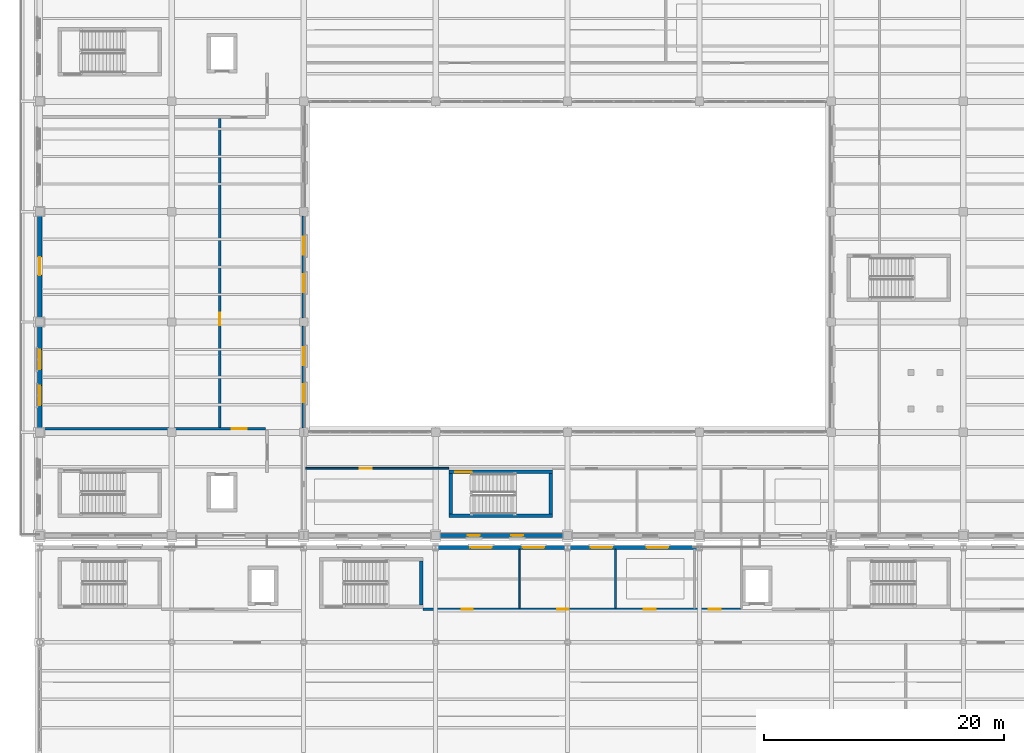
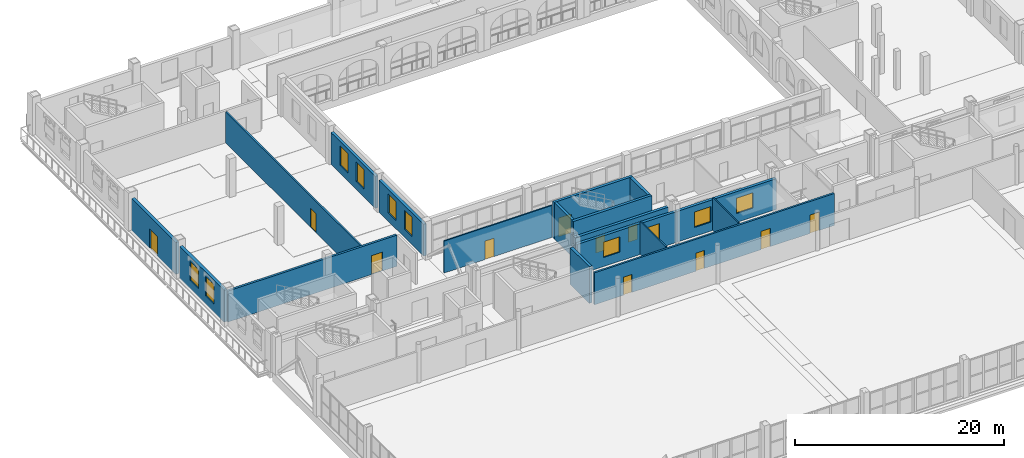
# One storey, part 122 of 156: 18 walls, 12 windows, 9 doors, 21 openings.
"""IFC4 building model written with IfcOpenShell, lengths in metres."""

import ifcopenshell
import ifcopenshell.guid

model = None  # the IFC model being written
_history = None  # IfcOwnerHistory: only IFC2X3 demands one
_inside = {}  # id of a spatial element -> (the spatial element, [elements in it])
_under = {}  # id of a project, library or spatial element -> (it, [spatial elements below it])
_declared = {}  # id of a project -> (the project, [libraries it declares])
_typed = {}  # id of a type object -> (the type object, [elements of that type])
_made_of = {}  # id of a material, layer set ... -> (it, [elements and type objects made of it])


def new_model(schema):
    """Start an empty IFC model of exactly this schema.

    Asked for "IFC4X3", IfcOpenShell would pick the latest addendum, in which some entities
    have other attributes; the version numbers below select the first issue.
    IFC2X3 requires an IfcOwnerHistory on every rooted entity: one is made here for all.
    """
    global model, _history
    if schema == "IFC4X3":
        model = ifcopenshell.file(schema_version=(4, 3, 0, 0))
    else:
        model = ifcopenshell.file(schema=schema)
    _inside.clear()
    _under.clear()
    _declared.clear()
    _typed.clear()
    _made_of.clear()
    _history = None
    if model.schema == "IFC2X3":
        org = make("IfcOrganization", Name="unknown")
        user = make(
            "IfcPersonAndOrganization",
            ThePerson=make("IfcPerson", FamilyName="unknown"),
            TheOrganization=org,
        )
        app = make(
            "IfcApplication",
            ApplicationDeveloper=org,
            Version="unknown",
            ApplicationFullName="unknown",
            ApplicationIdentifier="unknown",
        )
        _history = make(
            "IfcOwnerHistory",
            OwningUser=user,
            OwningApplication=app,
            ChangeAction="ADDED",
            CreationDate=0,
        )
    return model


def make(cls, **values):
    """One entity of the class cls with the attributes given. An attribute that is None is left unset."""
    return model.create_entity(
        cls, **{name: value for name, value in values.items() if value is not None}
    )


def rooted(cls, **values):
    """An entity with a GlobalId (a new one), such as an element, a storey or a relation."""
    return make(cls, GlobalId=ifcopenshell.guid.new(), OwnerHistory=_history, **values)


def si_unit(unit_type, name, prefix=None):
    """IfcSIUnit, for example si_unit("LENGTHUNIT", "METRE", prefix="MILLI")."""
    return make("IfcSIUnit", UnitType=unit_type, Prefix=prefix, Name=name)


def assignment(units):
    """IfcUnitAssignment: the units of a project."""
    return None if units is None else make("IfcUnitAssignment", Units=units)


def point(xyz):
    """IfcCartesianPoint."""
    return None if xyz is None else make("IfcCartesianPoint", Coordinates=xyz)


def direction(xyz):
    """IfcDirection."""
    return None if xyz is None else make("IfcDirection", DirectionRatios=xyz)


def frame(location, z_axis=None, x_axis=None):
    """IfcAxis2Placement3D, a coordinate frame: its origin and axes. An axis left out is left unset."""
    return make(
        "IfcAxis2Placement3D",
        Location=point(location),
        Axis=direction(z_axis),
        RefDirection=direction(x_axis),
    )


def frame_2d(location, x_axis=None):
    """IfcAxis2Placement2D, a coordinate frame in the plane: its origin and x axis."""
    return make(
        "IfcAxis2Placement2D", Location=point(location), RefDirection=direction(x_axis)
    )


def origin():
    """The frame at (0, 0, 0) with its axes left unset."""
    return frame((0.0, 0.0, 0.0))


def place(relative_to, where):
    """IfcLocalPlacement: puts the frame where relative to a parent placement (None: the world)."""
    return make(
        "IfcLocalPlacement", PlacementRelTo=relative_to, RelativePlacement=where
    )


def context(
    kind, dimensions, precision=None, world=None, true_north=None, identifier=None
):
    """IfcGeometricRepresentationContext, for example the 3D "Model" context."""
    return make(
        "IfcGeometricRepresentationContext",
        ContextIdentifier=identifier,
        ContextType=kind,
        CoordinateSpaceDimension=dimensions,
        Precision=precision,
        WorldCoordinateSystem=world,
        TrueNorth=true_north,
    )


def subcontext(parent, identifier, kind, view, scale=None):
    """IfcGeometricRepresentationSubContext, for example "Body" below "Model"."""
    return make(
        "IfcGeometricRepresentationSubContext",
        ContextIdentifier=identifier,
        ContextType=kind,
        ParentContext=parent,
        TargetScale=scale,
        TargetView=view,
    )


def project(units=None, contexts=None):
    """IfcProject with its units and contexts."""
    return rooted(
        "IfcProject",
        Name="project",
        RepresentationContexts=contexts,
        UnitsInContext=assignment(units),
    )


def spatial(cls, under=None, at=None, **own):
    """A site, building, storey or space (cls), placed at a placement, below another one or the project."""
    s = rooted(cls, ObjectPlacement=at, **own)
    if under is not None:
        _under.setdefault(under.id(), (under, []))[1].append(s)
    return s


def profile(cls, at=None, kind="AREA", **sizes):
    """A parametric profile (cls). Its sizes go by their IFC names, for example OverallWidth=200.0."""
    return make(cls, ProfileType=kind, Position=at, **sizes)


def rectangle(**sizes):
    """IfcRectangleProfileDef."""
    return profile("IfcRectangleProfileDef", **sizes)


def extrude(swept, where, along, depth):
    """IfcExtrudedAreaSolid: the profile swept, set in the frame where, extruded along a direction by depth."""
    return make(
        "IfcExtrudedAreaSolid",
        SweptArea=swept,
        Position=where,
        ExtrudedDirection=direction(along),
        Depth=depth,
    )


def shape(context_of_items, identifier, shape_type, items):
    """IfcShapeRepresentation: the items that make up one representation, for example the "Body"."""
    return make(
        "IfcShapeRepresentation",
        ContextOfItems=context_of_items,
        RepresentationIdentifier=identifier,
        RepresentationType=shape_type,
        Items=items,
    )


def material(Name=None, Category=None):
    """IfcMaterial."""
    return make("IfcMaterial", Name=Name, Category=Category)


def layer(
    of_material, thickness, ventilated=None, Name=None, Category=None, Priority=None
):
    """IfcMaterialLayer: one layer of a wall or slab, of a material (None: an air gap)."""
    return make(
        "IfcMaterialLayer",
        Material=of_material,
        LayerThickness=thickness,
        IsVentilated=ventilated,
        Name=Name,
        Category=Category,
        Priority=Priority,
    )


def layer_set(layers, Name=None):
    """IfcMaterialLayerSet."""
    return make("IfcMaterialLayerSet", MaterialLayers=layers, LayerSetName=Name)


def made_of(thing, what):
    """Note that an element or type object is made of a material, layer set ...; save() writes the relation."""
    if what is not None:
        _made_of.setdefault(what.id(), (what, []))[1].append(thing)
    return thing


def type_object(cls, material=None, **own):
    """A type object (cls), such as IfcWallType, which elements share."""
    return made_of(rooted(cls, **own), material)


def element(
    cls,
    number,
    at=None,
    inside=None,
    cuts=None,
    type_object=None,
    material=None,
    context=None,
    identifier="Body",
    shape_type=None,
    held_by="IfcProductDefinitionShape",
    body=None,
    shapes=None,
    **own,
):
    """One element of the class cls, such as IfcWall. Its Tag is "e" and its number.

    at: its placement. inside: the storey or other place that contains it. cuts: it is an
    opening in that element (IfcRelVoidsElement). A single representation is given by context,
    identifier, shape_type and body (its items); several are given by shapes. held_by: the class
    of the entity that holds the representations. save() writes the other relations.
    """
    e = rooted(cls, Tag="e%d" % number, ObjectPlacement=at, **own)
    if body is not None:
        shapes = [shape(context, identifier, shape_type, body)]
    if shapes is not None:
        e.Representation = make(held_by, Representations=shapes)
    if inside is not None:
        _inside.setdefault(inside.id(), (inside, []))[1].append(e)
    if cuts is not None:
        rooted(
            "IfcRelVoidsElement", RelatingBuildingElement=cuts, RelatedOpeningElement=e
        )
    if type_object is not None:
        _typed.setdefault(type_object.id(), (type_object, []))[1].append(e)
    return made_of(e, material)


def fill(opening, filler):
    """IfcRelFillsElement: the door or window that sits in an opening."""
    return rooted(
        "IfcRelFillsElement",
        RelatingOpeningElement=opening,
        RelatedBuildingElement=filler,
    )


def aggregate(whole, parts):
    """IfcRelAggregates: a whole, such as a stair, and the parts it consists of."""
    return rooted("IfcRelAggregates", RelatingObject=whole, RelatedObjects=parts)


def save(model, path):
    """Write the relations noted so far, then the file.

    IfcRelAggregates (storeys below a building ...), IfcRelContainedInSpatialStructure (elements
    in a storey), IfcRelDefinesByType, IfcRelAssociatesMaterial and IfcRelDeclares: one each for
    every whole, place, type object, material and project.
    """
    for whole, parts in _under.values():
        aggregate(whole, parts)
    for where, things in _inside.values():
        rooted(
            "IfcRelContainedInSpatialStructure",
            RelatedElements=things,
            RelatingStructure=where,
        )
    for kind, things in _typed.values():
        rooted("IfcRelDefinesByType", RelatedObjects=things, RelatingType=kind)
    for what, things in _made_of.values():
        rooted("IfcRelAssociatesMaterial", RelatedObjects=things, RelatingMaterial=what)
    for by, libraries in _declared.values():
        rooted("IfcRelDeclares", RelatingContext=by, RelatedDefinitions=libraries)
    model.write(path)


model = new_model("IFC4")

# Units and contexts
model_context = context("Model", 3, precision=1e-05, world=origin(), true_north=direction((0.0, 1.0)))
body_context = subcontext(model_context, "Body", "Model", "MODEL_VIEW")
ifc_project = project(units=[si_unit("LENGTHUNIT", "METRE"), si_unit("AREAUNIT", "SQUARE_METRE"), si_unit("VOLUMEUNIT", "CUBIC_METRE"), si_unit("PLANEANGLEUNIT", "RADIAN"), si_unit("MASSUNIT", "GRAM", prefix="KILO")], contexts=[model_context])

# Site, building, storey
site_placement = place(None, origin())
site = spatial("IfcSite", under=ifc_project, at=site_placement, CompositionType="ELEMENT")
building_placement = place(site_placement, origin())
building = spatial("IfcBuilding", under=site, at=building_placement, Name="Caurita Quay Ferry Terminal", CompositionType="ELEMENT")
storey_placement = place(building_placement, frame((0.0, 0.0, 5.39990234375)))
storey = spatial("IfcBuildingStorey", under=building, at=storey_placement, Name="L01", CompositionType="ELEMENT", Elevation=5.39990234375)

# Wall, opening, door
ifc_material_1 = material(Name="Warm-white lime stucco masonry", Category="masonry")
ifc_layer_1 = layer(ifc_material_1, 0.239990234375, Name="Interior partitioning wall 240 mm")
ifc_layer_set_1 = layer_set([ifc_layer_1], Name="Warm-white lime stucco masonry")
wall_type_1 = type_object("IfcWallType", Name="WL-COMP-240", PredefinedType="PARTITIONING", material=ifc_layer_set_1)
wall_1_placement = place(storey_placement, frame((0.175048828125, 80.5, 0.0), z_axis=(0.0, 0.0, 1.0), x_axis=(1.0, 0.0, 0.0)))
wall_1 = element("IfcWall", 1, at=wall_1_placement, inside=storey, type_object=wall_type_1, Name="L01 Interior Partition IW-L01-061", PredefinedType="PARTITIONING", context=body_context, shape_type="SweptSolid", body=[
    extrude(rectangle(XDim=18.64990234375, YDim=0.239990234375, at=frame_2d((9.324951171875, 0.0))), origin(), (0.0, 0.0, 1.0), 3.625),
])
opening_1_placement = place(wall_1_placement, frame((15.824951171875, 0.0, 0.0)))
opening_1 = element("IfcOpeningElement", 2, at=opening_1_placement, cuts=wall_1, Name="Opening FD-01", PredefinedType="OPENING", context=body_context, shape_type="SweptSolid", body=[
    extrude(rectangle(XDim=1.25, YDim=2.199951171875, at=frame_2d((0.625, 1.10009765625))), frame((0.0, 0.1298828125, 0.0), z_axis=(0.0, -1.0, 0.0), x_axis=(1.0, 0.0, 0.0)), (0.0, 0.0, 1.0), 0.260009765625),
])
ifc_material_2 = material(Name="Anodized aluminium 6063-T6", Category="aluminium")
door_type_1 = type_object("IfcDoorType", Name="DR-FF-1100", OperationType="NOTDEFINED", PredefinedType="DOOR", material=ifc_material_2)
door_1_placement = place(opening_1_placement, frame((1.25, 0.0, 0.0), z_axis=(0.0, 0.0, 1.0), x_axis=(-1.0, 0.0, 0.0)))
door_1 = element("IfcDoor", 3, at=door_1_placement, inside=storey, type_object=door_type_1, Name="Firefighting Lobby L01 South Door", OperationType="SINGLE_SWING_RIGHT", OverallHeight=2.199951171875, OverallWidth=1.25, PredefinedType="DOOR", context=body_context, shape_type="SweptSolid", body=[
    extrude(rectangle(XDim=1.25, YDim=2.199951171875, at=frame_2d((0.625, 1.10009765625))), frame((0.0, 0.02490234375, 0.0), z_axis=(0.0, -1.0, 0.0), x_axis=(1.0, 0.0, 0.0)), (0.0, 0.0, 1.0), 0.050048828125),
])
fill(opening_1, door_1)

# Wall
ifc_material_3 = material(Name="Reinforced concrete C35/45", Category="concrete")
ifc_layer_2 = layer(ifc_material_3, 0.300048828125, Name="Interior shear wall 300 mm")
ifc_layer_set_2 = layer_set([ifc_layer_2], Name="Reinforced concrete C35/45")
wall_type_2 = type_object("IfcWallType", Name="WL-CORE-300", PredefinedType="SHEAR", material=ifc_layer_set_2)
wall_2_placement = place(storey_placement, frame((34.10009765625, 73.25, 0.0), z_axis=(0.0, 0.0, 1.0), x_axis=(1.0, 0.0, 0.0)))
element("IfcWall", 4, at=wall_2_placement, inside=storey, type_object=wall_type_2, Name="L01 ST-03 Core Wall South", PredefinedType="SHEAR", context=body_context, shape_type="SweptSolid", body=[
    extrude(rectangle(XDim=8.64990234375, YDim=0.300048828125, at=frame_2d((4.324951171875, 0.0))), origin(), (0.0, 0.0, 1.0), 4.280029296875),
])

# Wall, opening, door
wall_3_placement = place(storey_placement, frame((42.75, 76.909912109375, 0.0), z_axis=(0.0, 0.0, 1.0), x_axis=(-1.0, 0.0, 0.0)))
wall_3 = element("IfcWall", 5, at=wall_3_placement, inside=storey, type_object=wall_type_2, Name="L01 ST-03 Core Wall North", PredefinedType="SHEAR", context=body_context, shape_type="SweptSolid", body=[
    extrude(rectangle(XDim=8.64990234375, YDim=0.300048828125, at=frame_2d((4.324951171875, 0.0))), origin(), (0.0, 0.0, 1.0), 4.280029296875),
])
opening_2_placement = place(wall_3_placement, frame((6.75, 0.0, 0.0)))
opening_2 = element("IfcOpeningElement", 6, at=opening_2_placement, cuts=wall_3, Name="Opening SD-01", PredefinedType="OPENING", context=body_context, shape_type="SweptSolid", body=[
    extrude(rectangle(XDim=1.35009765625, YDim=2.199951171875, at=frame_2d((0.675048828125, 1.10009765625))), frame((0.0, 0.159912109375, 0.0), z_axis=(0.0, -1.0, 0.0), x_axis=(1.0, 0.0, 0.0)), (0.0, 0.0, 1.0), 0.320068359375),
])
door_type_2 = type_object("IfcDoorType", Name="DR-ST-1200", OperationType="NOTDEFINED", PredefinedType="DOOR", material=ifc_material_2)
door_2_placement = place(opening_2_placement, origin())
door_2 = element("IfcDoor", 7, at=door_2_placement, inside=storey, type_object=door_type_2, Name="L01 Exit Stair ST-03 Fire Door", OperationType="SINGLE_SWING_RIGHT", OverallHeight=2.199951171875, OverallWidth=1.35009765625, PredefinedType="DOOR", context=body_context, shape_type="SweptSolid", body=[
    extrude(rectangle(XDim=1.35009765625, YDim=2.199951171875, at=frame_2d((0.675048828125, 1.10009765625))), frame((0.0, 0.02490234375, 0.0), z_axis=(0.0, -1.0, 0.0), x_axis=(1.0, 0.0, 0.0)), (0.0, 0.0, 1.0), 0.050048828125),
])
fill(opening_2, door_2)

# Walls
for number, where, z_axis, x_axis, name in (
    (8, (34.25, 76.760009765625, 0.0), (0.0, 0.0, 1.0), (0.0, -1.0, 0.0), "L01 ST-03 Core Wall West"),
    (9, (42.60009765625, 73.39990234375, 0.0), (0.0, 0.0, 1.0), (0.0, 1.0, 0.0), "L01 ST-03 Core Wall East"),
):
    element("IfcWall", number, at=place(storey_placement, frame(where, z_axis=z_axis, x_axis=x_axis)), inside=storey, type_object=wall_type_2, Name=name, PredefinedType="SHEAR", context=body_context, shape_type="SweptSolid", body=[
        extrude(rectangle(XDim=3.360107421875, YDim=0.300048828125, at=frame_2d((1.68017578125, 0.0))), origin(), (0.0, 0.0, 1.0), 4.280029296875),
    ])
wall_4_placement = place(storey_placement, frame((31.800048828125, 65.800048828125, 0.0), z_axis=(0.0, 0.0, 1.0), x_axis=(0.0, 1.0, 0.0)))
element("IfcWall", 10, at=wall_4_placement, inside=storey, type_object=wall_type_2, Name="L01 ST-06 Core Wall East", PredefinedType="SHEAR", context=body_context, shape_type="SweptSolid", body=[
    extrude(rectangle(XDim=3.659912109375, YDim=0.300048828125, at=frame_2d((1.830078125, 0.0))), origin(), (0.0, 0.0, 1.0), 4.280029296875),
])

# Wall, openings, doors
ifc_layer_3 = layer(ifc_material_1, 0.199951171875, Name="Interior partitioning wall 200 mm")
ifc_layer_set_3 = layer_set([ifc_layer_3], Name="Warm-white lime stucco masonry")
wall_type_3 = type_object("IfcWallType", Name="WL-CORR-200", PredefinedType="PARTITIONING", material=ifc_layer_set_3)
wall_5_placement = place(storey_placement, frame((31.9599609375, 65.449951171875, 0.0), z_axis=(0.0, 0.0, 1.0), x_axis=(1.0, 0.0, 0.0)))
wall_5 = element("IfcWall", 11, at=wall_5_placement, inside=storey, type_object=wall_type_3, Name="L01 Interior Partition IW-L01-041", PredefinedType="PARTITIONING", context=body_context, shape_type="SweptSolid", body=[
    extrude(rectangle(XDim=26.469970703125, YDim=0.199951171875, at=frame_2d((13.23486328125, 0.0))), origin(), (0.0, 0.0, 1.0), 3.739013671875),
])
opening_3_placement = place(wall_5_placement, frame((3.199951171875, 0.0, 0.0)))
opening_3 = element("IfcOpeningElement", 12, at=opening_3_placement, cuts=wall_5, Name="Opening ID-07", PredefinedType="OPENING", context=body_context, shape_type="SweptSolid", body=[
    extrude(rectangle(XDim=0.919921875, YDim=2.10009765625, at=frame_2d((0.4599609375, 1.050048828125))), frame((0.0, 0.10986328125, 0.0), z_axis=(0.0, -1.0, 0.0), x_axis=(1.0, 0.0, 0.0)), (0.0, 0.0, 1.0), 0.219970703125),
])
opening_4_placement = place(wall_5_placement, frame((11.199951171875, 0.0, 0.0)))
opening_4 = element("IfcOpeningElement", 13, at=opening_4_placement, cuts=wall_5, Name="Opening ID-07", PredefinedType="OPENING", context=body_context, shape_type="SweptSolid", body=[
    extrude(rectangle(XDim=0.919921875, YDim=2.10009765625, at=frame_2d((0.4599609375, 1.050048828125))), frame((0.0, 0.10986328125, 0.0), z_axis=(0.0, -1.0, 0.0), x_axis=(1.0, 0.0, 0.0)), (0.0, 0.0, 1.0), 0.219970703125),
])
opening_5_placement = place(wall_5_placement, frame((18.39990234375, 0.0, 0.0)))
opening_5 = element("IfcOpeningElement", 14, at=opening_5_placement, cuts=wall_5, Name="Opening ID-05", PredefinedType="OPENING", context=body_context, shape_type="SweptSolid", body=[
    extrude(rectangle(XDim=1.0, YDim=2.14990234375, at=frame_2d((0.5, 1.074951171875))), frame((0.0, 0.10986328125, 0.0), z_axis=(0.0, -1.0, 0.0), x_axis=(1.0, 0.0, 0.0)), (0.0, 0.0, 1.0), 0.219970703125),
])
opening_6_placement = place(wall_5_placement, frame((23.800048828125, 0.0, 0.0)))
opening_6 = element("IfcOpeningElement", 15, at=opening_6_placement, cuts=wall_5, Name="Opening ID-08", PredefinedType="OPENING", context=body_context, shape_type="SweptSolid", body=[
    extrude(rectangle(XDim=1.02001953125, YDim=2.14990234375, at=frame_2d((0.510009765625, 1.074951171875))), frame((0.0, 0.10986328125, 0.0), z_axis=(0.0, -1.0, 0.0), x_axis=(1.0, 0.0, 0.0)), (0.0, 0.0, 1.0), 0.219970703125),
])
ifc_material_4 = material(Name="Tropical mahogany hardwood", Category="wood")
door_type_3 = type_object("IfcDoorType", Name="DR-AWC-1020", OperationType="NOTDEFINED", PredefinedType="DOOR", material=ifc_material_4)
door_3_placement = place(opening_6_placement, origin())
door_3 = element("IfcDoor", 16, at=door_3_placement, inside=storey, type_object=door_type_3, Name="Concourse Accessible WC L01 Door", OperationType="SINGLE_SWING_LEFT", OverallHeight=2.14990234375, OverallWidth=1.02001953125, PredefinedType="DOOR", context=body_context, shape_type="SweptSolid", body=[
    extrude(rectangle(XDim=1.02001953125, YDim=2.14990234375, at=frame_2d((0.510009765625, 1.074951171875))), frame((0.0, 0.02490234375, 0.0), z_axis=(0.0, -1.0, 0.0), x_axis=(1.0, 0.0, 0.0)), (0.0, 0.0, 1.0), 0.050048828125),
])
fill(opening_6, door_3)
door_type_4 = type_object("IfcDoorType", Name="DR-OFF-1000", OperationType="NOTDEFINED", PredefinedType="DOOR", material=ifc_material_4)
door_4_placement = place(opening_5_placement, frame((1.0, 0.0, 0.0), z_axis=(0.0, 0.0, 1.0), x_axis=(-1.0, 0.0, 0.0)))
door_4 = element("IfcDoor", 17, at=door_4_placement, inside=storey, type_object=door_type_4, Name="Concourse Parenting Room L01 Door", OperationType="SINGLE_SWING_RIGHT", OverallHeight=2.14990234375, OverallWidth=1.0, PredefinedType="DOOR", context=body_context, shape_type="SweptSolid", body=[
    extrude(rectangle(XDim=1.0, YDim=2.14990234375, at=frame_2d((0.5, 1.074951171875))), frame((0.0, 0.02490234375, 0.0), z_axis=(0.0, -1.0, 0.0), x_axis=(1.0, 0.0, 0.0)), (0.0, 0.0, 1.0), 0.050048828125),
])
fill(opening_5, door_4)
door_type_5 = type_object("IfcDoorType", Name="DR-WC-0920", OperationType="NOTDEFINED", PredefinedType="DOOR", material=ifc_material_4)
door_5_placement = place(opening_3_placement, frame((0.919921875, 0.0, 0.0), z_axis=(0.0, 0.0, 1.0), x_axis=(-1.0, 0.0, 0.0)))
door_5 = element("IfcDoor", 18, at=door_5_placement, inside=storey, type_object=door_type_5, Name="Concourse Male WC L01 Door", OperationType="SINGLE_SWING_RIGHT", OverallHeight=2.10009765625, OverallWidth=0.919921875, PredefinedType="DOOR", context=body_context, shape_type="SweptSolid", body=[
    extrude(rectangle(XDim=0.919921875, YDim=2.10009765625, at=frame_2d((0.4599609375, 1.050048828125))), frame((0.0, 0.02490234375, 0.0), z_axis=(0.0, -1.0, 0.0), x_axis=(1.0, 0.0, 0.0)), (0.0, 0.0, 1.0), 0.050048828125),
])
fill(opening_3, door_5)
door_6_placement = place(opening_4_placement, origin())
door_6 = element("IfcDoor", 19, at=door_6_placement, inside=storey, type_object=door_type_5, Name="Concourse Female WC L01 Door", OperationType="SINGLE_SWING_LEFT", OverallHeight=2.10009765625, OverallWidth=0.919921875, PredefinedType="DOOR", context=body_context, shape_type="SweptSolid", body=[
    extrude(rectangle(XDim=0.919921875, YDim=2.10009765625, at=frame_2d((0.4599609375, 1.050048828125))), frame((0.0, 0.02490234375, 0.0), z_axis=(0.0, -1.0, 0.0), x_axis=(1.0, 0.0, 0.0)), (0.0, 0.0, 1.0), 0.050048828125),
])
fill(opening_4, door_6)

# Wall, openings, windows
ifc_layer_4 = layer(ifc_material_1, 0.31005859375, Name="Exterior solidwall wall 310 mm")
ifc_layer_set_4 = layer_set([ifc_layer_4], Name="Warm-white lime stucco masonry")
wall_type_4 = type_object("IfcWallType", Name="WL-EXT-310", PredefinedType="SOLIDWALL", material=ifc_layer_set_4)
wall_6_placement = place(storey_placement, frame((33.347900390625, 71.60009765625, 0.0), z_axis=(0.0, 0.0, 1.0), x_axis=(1.0, 0.0, 0.0)))
wall_6 = element("IfcWall", 20, at=wall_6_placement, inside=storey, type_object=wall_type_4, Name="L01 Exterior Wall EW-L01-064", PredefinedType="SOLIDWALL", context=body_context, shape_type="SweptSolid", body=[
    extrude(rectangle(XDim=10.30419921875, YDim=0.31005859375, at=frame_2d((5.152099609375, 0.0))), origin(), (0.0, 0.0, 1.0), 3.625),
])
opening_7_placement = place(wall_6_placement, frame((2.35205078125, 0.0, 0.949951171875)))
opening_7 = element("IfcOpeningElement", 21, at=opening_7_placement, cuts=wall_6, Name="Opening W-02", PredefinedType="OPENING", context=body_context, shape_type="SweptSolid", body=[
    extrude(rectangle(XDim=1.0, YDim=1.800048828125, at=frame_2d((0.5, 0.89990234375))), frame((0.0, 0.1650390625, 0.0), z_axis=(0.0, -1.0, 0.0), x_axis=(1.0, 0.0, 0.0)), (0.0, 0.0, 1.0), 0.330078125),
])
opening_8_placement = place(wall_6_placement, frame((5.951904296875, 0.0, 0.949951171875)))
opening_8 = element("IfcOpeningElement", 22, at=opening_8_placement, cuts=wall_6, Name="Opening W-02", PredefinedType="OPENING", context=body_context, shape_type="SweptSolid", body=[
    extrude(rectangle(XDim=1.0, YDim=1.800048828125, at=frame_2d((0.5, 0.89990234375))), frame((0.0, 0.1650390625, 0.0), z_axis=(0.0, -1.0, 0.0), x_axis=(1.0, 0.0, 0.0)), (0.0, 0.0, 1.0), 0.330078125),
])
ifc_material_5 = material(Name="Laminated solar-control insulated glass", Category="glass")
window_type_1 = type_object("IfcWindowType", Name="WIN-SC-1018", PartitioningType="SINGLE_PANEL", PredefinedType="WINDOW", material=ifc_material_5)
window_1_placement = place(opening_7_placement, origin())
window_1 = element("IfcWindow", 23, at=window_1_placement, inside=storey, type_object=window_type_1, Name="L01 Casement Window WN-L01-095", OverallHeight=1.800048828125, OverallWidth=1.0, PartitioningType="SINGLE_PANEL", PredefinedType="WINDOW", context=body_context, shape_type="SweptSolid", body=[
    extrude(rectangle(XDim=1.0, YDim=1.800048828125, at=frame_2d((0.5, 0.89990234375))), frame((0.0, 0.030029296875, 0.0), z_axis=(0.0, -1.0, 0.0), x_axis=(1.0, 0.0, 0.0)), (0.0, 0.0, 1.0), 0.06005859375),
])
fill(opening_7, window_1)
window_2_placement = place(opening_8_placement, origin())
window_2 = element("IfcWindow", 24, at=window_2_placement, inside=storey, type_object=window_type_1, Name="L01 Casement Window WN-L01-096", OverallHeight=1.800048828125, OverallWidth=1.0, PartitioningType="SINGLE_PANEL", PredefinedType="WINDOW", context=body_context, shape_type="SweptSolid", body=[
    extrude(rectangle(XDim=1.0, YDim=1.800048828125, at=frame_2d((0.5, 0.89990234375))), frame((0.0, 0.030029296875, 0.0), z_axis=(0.0, -1.0, 0.0), x_axis=(1.0, 0.0, 0.0)), (0.0, 0.0, 1.0), 0.06005859375),
])
fill(opening_8, window_2)

wall_7_placement = place(storey_placement, frame((22.0, 80.548095703125, 0.0), z_axis=(0.0, 0.0, 1.0), x_axis=(0.0, 1.0, 0.0)))
wall_7 = element("IfcWall", 25, at=wall_7_placement, inside=storey, type_object=wall_type_4, Name="L01 Exterior Wall EW-L01-128", PredefinedType="SOLIDWALL", context=body_context, shape_type="SweptSolid", body=[
    extrude(rectangle(XDim=8.50390625, YDim=0.31005859375, at=frame_2d((4.251953125, 0.0))), origin(), (0.0, 0.0, 1.0), 3.72509765625),
])
opening_9_placement = place(wall_7_placement, frame((2.152099609375, 0.0, 0.949951171875)))
opening_9 = element("IfcOpeningElement", 26, at=opening_9_placement, cuts=wall_7, Name="Opening W-07", PredefinedType="OPENING", context=body_context, shape_type="SweptSolid", body=[
    extrude(rectangle(XDim=1.5, YDim=2.25, at=frame_2d((0.75, 1.125))), frame((0.0, 0.1650390625, 0.0), z_axis=(0.0, -1.0, 0.0), x_axis=(1.0, 0.0, 0.0)), (0.0, 0.0, 1.0), 0.330078125),
])
opening_10_placement = place(wall_7_placement, frame((5.251953125, 0.0, 0.949951171875)))
opening_10 = element("IfcOpeningElement", 27, at=opening_10_placement, cuts=wall_7, Name="Opening W-07", PredefinedType="OPENING", context=body_context, shape_type="SweptSolid", body=[
    extrude(rectangle(XDim=1.5, YDim=2.25, at=frame_2d((0.75, 1.125))), frame((0.0, 0.1650390625, 0.0), z_axis=(0.0, -1.0, 0.0), x_axis=(1.0, 0.0, 0.0)), (0.0, 0.0, 1.0), 0.330078125),
])
window_type_2 = type_object("IfcWindowType", Name="WIN-SC-1522", PartitioningType="SINGLE_PANEL", PredefinedType="WINDOW", material=ifc_material_5)
window_3_placement = place(opening_9_placement, origin())
window_3 = element("IfcWindow", 28, at=window_3_placement, inside=storey, type_object=window_type_2, Name="L01 Casement Window WN-L01-195", OverallHeight=2.25, OverallWidth=1.5, PartitioningType="SINGLE_PANEL", PredefinedType="WINDOW", context=body_context, shape_type="SweptSolid", body=[
    extrude(rectangle(XDim=1.5, YDim=2.25, at=frame_2d((0.75, 1.125))), frame((0.0, 0.030029296875, 0.0), z_axis=(0.0, -1.0, 0.0), x_axis=(1.0, 0.0, 0.0)), (0.0, 0.0, 1.0), 0.06005859375),
])
fill(opening_9, window_3)
window_4_placement = place(opening_10_placement, origin())
window_4 = element("IfcWindow", 29, at=window_4_placement, inside=storey, type_object=window_type_2, Name="L01 Casement Window WN-L01-196", OverallHeight=2.25, OverallWidth=1.5, PartitioningType="SINGLE_PANEL", PredefinedType="WINDOW", context=body_context, shape_type="SweptSolid", body=[
    extrude(rectangle(XDim=1.5, YDim=2.25, at=frame_2d((0.75, 1.125))), frame((0.0, 0.030029296875, 0.0), z_axis=(0.0, -1.0, 0.0), x_axis=(1.0, 0.0, 0.0)), (0.0, 0.0, 1.0), 0.06005859375),
])
fill(opening_10, window_4)

wall_8_placement = place(storey_placement, frame((22.0, 89.748046875, 0.0), z_axis=(0.0, 0.0, 1.0), x_axis=(0.0, 1.0, 0.0)))
wall_8 = element("IfcWall", 30, at=wall_8_placement, inside=storey, type_object=wall_type_4, Name="L01 Exterior Wall EW-L01-129", PredefinedType="SOLIDWALL", context=body_context, shape_type="SweptSolid", body=[
    extrude(rectangle(XDim=8.50390625, YDim=0.31005859375, at=frame_2d((4.251953125, 0.0))), origin(), (0.0, 0.0, 1.0), 3.72509765625),
])
opening_11_placement = place(wall_8_placement, frame((2.152099609375, 0.0, 0.949951171875)))
opening_11 = element("IfcOpeningElement", 31, at=opening_11_placement, cuts=wall_8, Name="Opening W-07", PredefinedType="OPENING", context=body_context, shape_type="SweptSolid", body=[
    extrude(rectangle(XDim=1.5, YDim=2.25, at=frame_2d((0.75, 1.125))), frame((0.0, 0.1650390625, 0.0), z_axis=(0.0, -1.0, 0.0), x_axis=(1.0, 0.0, 0.0)), (0.0, 0.0, 1.0), 0.330078125),
])
opening_12_placement = place(wall_8_placement, frame((5.251953125, 0.0, 0.949951171875)))
opening_12 = element("IfcOpeningElement", 32, at=opening_12_placement, cuts=wall_8, Name="Opening W-07", PredefinedType="OPENING", context=body_context, shape_type="SweptSolid", body=[
    extrude(rectangle(XDim=1.5, YDim=2.25, at=frame_2d((0.75, 1.125))), frame((0.0, 0.1650390625, 0.0), z_axis=(0.0, -1.0, 0.0), x_axis=(1.0, 0.0, 0.0)), (0.0, 0.0, 1.0), 0.330078125),
])
window_5_placement = place(opening_11_placement, origin())
window_5 = element("IfcWindow", 33, at=window_5_placement, inside=storey, type_object=window_type_2, Name="L01 Casement Window WN-L01-197", OverallHeight=2.25, OverallWidth=1.5, PartitioningType="SINGLE_PANEL", PredefinedType="WINDOW", context=body_context, shape_type="SweptSolid", body=[
    extrude(rectangle(XDim=1.5, YDim=2.25, at=frame_2d((0.75, 1.125))), frame((0.0, 0.030029296875, 0.0), z_axis=(0.0, -1.0, 0.0), x_axis=(1.0, 0.0, 0.0)), (0.0, 0.0, 1.0), 0.06005859375),
])
fill(opening_11, window_5)
window_6_placement = place(opening_12_placement, origin())
window_6 = element("IfcWindow", 34, at=window_6_placement, inside=storey, type_object=window_type_2, Name="L01 Casement Window WN-L01-198", OverallHeight=2.25, OverallWidth=1.5, PartitioningType="SINGLE_PANEL", PredefinedType="WINDOW", context=body_context, shape_type="SweptSolid", body=[
    extrude(rectangle(XDim=1.5, YDim=2.25, at=frame_2d((0.75, 1.125))), frame((0.0, 0.030029296875, 0.0), z_axis=(0.0, -1.0, 0.0), x_axis=(1.0, 0.0, 0.0)), (0.0, 0.0, 1.0), 0.06005859375),
])
fill(opening_12, window_6)

wall_9_placement = place(storey_placement, frame((43.993408203125, 70.60009765625, 0.0), z_axis=(0.0, 0.0, 1.0), x_axis=(-1.0, 0.0, 0.0)))
wall_9 = element("IfcWall", 35, at=wall_9_placement, inside=storey, type_object=wall_type_4, Name="L01 Exterior Wall EW-L01-182", PredefinedType="SOLIDWALL", context=body_context, shape_type="SweptSolid", body=[
    extrude(rectangle(XDim=10.98681640625, YDim=0.31005859375, at=frame_2d((5.493408203125, 0.0))), origin(), (0.0, 0.0, 1.0), 3.592041015625),
])
opening_13_placement = place(wall_9_placement, frame((1.927978515625, 0.0, 1.050048828125)))
opening_13 = element("IfcOpeningElement", 36, at=opening_13_placement, cuts=wall_9, Name="Opening W-09", PredefinedType="OPENING", context=body_context, shape_type="SweptSolid", body=[
    extrude(rectangle(XDim=1.800048828125, YDim=1.800048828125, at=frame_2d((0.89990234375, 0.89990234375))), frame((0.0, 0.1650390625, 0.0), z_axis=(0.0, -1.0, 0.0), x_axis=(1.0, 0.0, 0.0)), (0.0, 0.0, 1.0), 0.330078125),
])
opening_14_placement = place(wall_9_placement, frame((6.29345703125, 0.0, 1.050048828125)))
opening_14 = element("IfcOpeningElement", 37, at=opening_14_placement, cuts=wall_9, Name="Opening W-09", PredefinedType="OPENING", context=body_context, shape_type="SweptSolid", body=[
    extrude(rectangle(XDim=1.800048828125, YDim=1.800048828125, at=frame_2d((0.89990234375, 0.89990234375))), frame((0.0, 0.1650390625, 0.0), z_axis=(0.0, -1.0, 0.0), x_axis=(1.0, 0.0, 0.0)), (0.0, 0.0, 1.0), 0.330078125),
])
window_type_3 = type_object("IfcWindowType", Name="WIN-SC-1818", PartitioningType="SINGLE_PANEL", PredefinedType="WINDOW", material=ifc_material_5)
window_7_placement = place(opening_13_placement, origin())
window_7 = element("IfcWindow", 38, at=window_7_placement, inside=storey, type_object=window_type_3, Name="L01 Casement Window WN-L01-273", OverallHeight=1.800048828125, OverallWidth=1.800048828125, PartitioningType="SINGLE_PANEL", PredefinedType="WINDOW", context=body_context, shape_type="SweptSolid", body=[
    extrude(rectangle(XDim=1.800048828125, YDim=1.800048828125, at=frame_2d((0.89990234375, 0.89990234375))), frame((0.0, 0.030029296875, 0.0), z_axis=(0.0, -1.0, 0.0), x_axis=(1.0, 0.0, 0.0)), (0.0, 0.0, 1.0), 0.06005859375),
])
fill(opening_13, window_7)
window_8_placement = place(opening_14_placement, origin())
window_8 = element("IfcWindow", 39, at=window_8_placement, inside=storey, type_object=window_type_3, Name="L01 Casement Window WN-L01-274", OverallHeight=1.800048828125, OverallWidth=1.800048828125, PartitioningType="SINGLE_PANEL", PredefinedType="WINDOW", context=body_context, shape_type="SweptSolid", body=[
    extrude(rectangle(XDim=1.800048828125, YDim=1.800048828125, at=frame_2d((0.89990234375, 0.89990234375))), frame((0.0, 0.030029296875, 0.0), z_axis=(0.0, -1.0, 0.0), x_axis=(1.0, 0.0, 0.0)), (0.0, 0.0, 1.0), 0.06005859375),
])
fill(opening_14, window_8)

wall_10_placement = place(storey_placement, frame((54.993408203125, 70.60009765625, 0.0), z_axis=(0.0, 0.0, 1.0), x_axis=(-1.0, 0.0, 0.0)))
wall_10 = element("IfcWall", 40, at=wall_10_placement, inside=storey, type_object=wall_type_4, Name="L01 Exterior Wall EW-L01-183", PredefinedType="SOLIDWALL", context=body_context, shape_type="SweptSolid", body=[
    extrude(rectangle(XDim=10.98681640625, YDim=0.31005859375, at=frame_2d((5.493408203125, 0.0))), origin(), (0.0, 0.0, 1.0), 3.592041015625),
])
opening_15_placement = place(wall_10_placement, frame((2.593505859375, 0.0, 1.050048828125)))
opening_15 = element("IfcOpeningElement", 41, at=opening_15_placement, cuts=wall_10, Name="Opening W-09", PredefinedType="OPENING", context=body_context, shape_type="SweptSolid", body=[
    extrude(rectangle(XDim=1.800048828125, YDim=1.800048828125, at=frame_2d((0.89990234375, 0.89990234375))), frame((0.0, 0.1650390625, 0.0), z_axis=(0.0, -1.0, 0.0), x_axis=(1.0, 0.0, 0.0)), (0.0, 0.0, 1.0), 0.330078125),
])
opening_16_placement = place(wall_10_placement, frame((7.258056640625, 0.0, 1.050048828125)))
opening_16 = element("IfcOpeningElement", 42, at=opening_16_placement, cuts=wall_10, Name="Opening W-09", PredefinedType="OPENING", context=body_context, shape_type="SweptSolid", body=[
    extrude(rectangle(XDim=1.800048828125, YDim=1.800048828125, at=frame_2d((0.89990234375, 0.89990234375))), frame((0.0, 0.1650390625, 0.0), z_axis=(0.0, -1.0, 0.0), x_axis=(1.0, 0.0, 0.0)), (0.0, 0.0, 1.0), 0.330078125),
])
window_9_placement = place(opening_15_placement, origin())
window_9 = element("IfcWindow", 43, at=window_9_placement, inside=storey, type_object=window_type_3, Name="L01 Casement Window WN-L01-275", OverallHeight=1.800048828125, OverallWidth=1.800048828125, PartitioningType="SINGLE_PANEL", PredefinedType="WINDOW", context=body_context, shape_type="SweptSolid", body=[
    extrude(rectangle(XDim=1.800048828125, YDim=1.800048828125, at=frame_2d((0.89990234375, 0.89990234375))), frame((0.0, 0.030029296875, 0.0), z_axis=(0.0, -1.0, 0.0), x_axis=(1.0, 0.0, 0.0)), (0.0, 0.0, 1.0), 0.06005859375),
])
fill(opening_15, window_9)
window_10_placement = place(opening_16_placement, origin())
window_10 = element("IfcWindow", 44, at=window_10_placement, inside=storey, type_object=window_type_3, Name="L01 Casement Window WN-L01-276", OverallHeight=1.800048828125, OverallWidth=1.800048828125, PartitioningType="SINGLE_PANEL", PredefinedType="WINDOW", context=body_context, shape_type="SweptSolid", body=[
    extrude(rectangle(XDim=1.800048828125, YDim=1.800048828125, at=frame_2d((0.89990234375, 0.89990234375))), frame((0.0, 0.030029296875, 0.0), z_axis=(0.0, -1.0, 0.0), x_axis=(1.0, 0.0, 0.0)), (0.0, 0.0, 1.0), 0.06005859375),
])
fill(opening_16, window_10)

ifc_layer_5 = layer(ifc_material_1, 0.340087890625, Name="Exterior solidwall wall 340 mm")
ifc_layer_set_5 = layer_set([ifc_layer_5], Name="Warm-white lime stucco masonry")
wall_type_5 = type_object("IfcWallType", Name="WL-EXT-340", PredefinedType="SOLIDWALL", material=ifc_layer_set_5)
wall_11_placement = place(storey_placement, frame((0.0, 89.052001953125, 0.0), z_axis=(0.0, 0.0, 1.0), x_axis=(0.0, -1.0, 0.0)))
wall_11 = element("IfcWall", 45, at=wall_11_placement, inside=storey, type_object=wall_type_5, Name="L01 Exterior Wall EW-L01-038", PredefinedType="SOLIDWALL", context=body_context, shape_type="SweptSolid", body=[
    extrude(rectangle(XDim=8.50390625, YDim=0.340087890625, at=frame_2d((4.251953125, 0.0))), origin(), (0.0, 0.0, 1.0), 3.72509765625),
])
opening_17_placement = place(wall_11_placement, frame((1.951904296875, 0.0, 0.949951171875)))
opening_17 = element("IfcOpeningElement", 46, at=opening_17_placement, cuts=wall_11, Name="Opening W-08", PredefinedType="OPENING", context=body_context, shape_type="SweptSolid", body=[
    extrude(rectangle(XDim=1.64990234375, YDim=2.25, at=frame_2d((0.824951171875, 1.125))), frame((0.0, 0.179931640625, 0.0), z_axis=(0.0, -1.0, 0.0), x_axis=(1.0, 0.0, 0.0)), (0.0, 0.0, 1.0), 0.360107421875),
])
opening_18_placement = place(wall_11_placement, frame((4.951904296875, 0.0, 0.949951171875)))
opening_18 = element("IfcOpeningElement", 47, at=opening_18_placement, cuts=wall_11, Name="Opening W-08", PredefinedType="OPENING", context=body_context, shape_type="SweptSolid", body=[
    extrude(rectangle(XDim=1.64990234375, YDim=2.25, at=frame_2d((0.824951171875, 1.125))), frame((0.0, 0.179931640625, 0.0), z_axis=(0.0, -1.0, 0.0), x_axis=(1.0, 0.0, 0.0)), (0.0, 0.0, 1.0), 0.360107421875),
])
window_type_4 = type_object("IfcWindowType", Name="WIN-SC-16522", PartitioningType="SINGLE_PANEL", PredefinedType="WINDOW", material=ifc_material_5)
window_11_placement = place(opening_17_placement, origin())
window_11 = element("IfcWindow", 48, at=window_11_placement, inside=storey, type_object=window_type_4, Name="L01 Casement Window WN-L01-055", OverallHeight=2.25, OverallWidth=1.64990234375, PartitioningType="SINGLE_PANEL", PredefinedType="WINDOW", context=body_context, shape_type="SweptSolid", body=[
    extrude(rectangle(XDim=1.64990234375, YDim=2.25, at=frame_2d((0.824951171875, 1.125))), frame((0.0, 0.030029296875, 0.0), z_axis=(0.0, -1.0, 0.0), x_axis=(1.0, 0.0, 0.0)), (0.0, 0.0, 1.0), 0.06005859375),
])
fill(opening_17, window_11)
window_12_placement = place(opening_18_placement, origin())
window_12 = element("IfcWindow", 49, at=window_12_placement, inside=storey, type_object=window_type_4, Name="L01 Casement Window WN-L01-056", OverallHeight=2.25, OverallWidth=1.64990234375, PartitioningType="SINGLE_PANEL", PredefinedType="WINDOW", context=body_context, shape_type="SweptSolid", body=[
    extrude(rectangle(XDim=1.64990234375, YDim=2.25, at=frame_2d((0.824951171875, 1.125))), frame((0.0, 0.030029296875, 0.0), z_axis=(0.0, -1.0, 0.0), x_axis=(1.0, 0.0, 0.0)), (0.0, 0.0, 1.0), 0.06005859375),
])
fill(opening_18, window_12)

# Wall, opening, door
wall_12_placement = place(storey_placement, frame((0.0, 98.251953125, 0.0), z_axis=(0.0, 0.0, 1.0), x_axis=(0.0, -1.0, 0.0)))
wall_12 = element("IfcWall", 50, at=wall_12_placement, inside=storey, type_object=wall_type_5, Name="L01 Exterior Wall EW-L01-039", PredefinedType="SOLIDWALL", context=body_context, shape_type="SweptSolid", body=[
    extrude(rectangle(XDim=8.50390625, YDim=0.340087890625, at=frame_2d((4.251953125, 0.0))), origin(), (0.0, 0.0, 1.0), 3.72509765625),
])
opening_19_placement = place(wall_12_placement, frame((3.451904296875, 0.0, 0.0)))
opening_19 = element("IfcOpeningElement", 51, at=opening_19_placement, cuts=wall_12, Name="Opening TD-02", PredefinedType="OPENING", context=body_context, shape_type="SweptSolid", body=[
    extrude(rectangle(XDim=1.5, YDim=2.25, at=frame_2d((0.75, 1.125))), frame((0.0, 0.179931640625, 0.0), z_axis=(0.0, -1.0, 0.0), x_axis=(1.0, 0.0, 0.0)), (0.0, 0.0, 1.0), 0.360107421875),
])
door_type_6 = type_object("IfcDoorType", Name="DR-TER-1522", OperationType="NOTDEFINED", PredefinedType="DOOR", material=ifc_material_2)
door_7_placement = place(opening_19_placement, frame((1.5, 0.0, 0.0), z_axis=(0.0, 0.0, 1.0), x_axis=(-1.0, 0.0, 0.0)))
door_7 = element("IfcDoor", 52, at=door_7_placement, inside=storey, type_object=door_type_6, Name="L01 West Quay Portales Balcony Door TD-BW1", OperationType="SINGLE_SWING_LEFT", OverallHeight=2.25, OverallWidth=1.5, PredefinedType="DOOR", context=body_context, shape_type="SweptSolid", body=[
    extrude(rectangle(XDim=1.5, YDim=2.25, at=frame_2d((0.75, 1.125))), frame((0.0, 0.02490234375, 0.0), z_axis=(0.0, -1.0, 0.0), x_axis=(1.0, 0.0, 0.0)), (0.0, 0.0, 1.0), 0.050048828125),
])
fill(opening_19, door_7)

# Walls
ifc_material_6 = material(Name="Gypsum board partition", Category="masonry")
ifc_layer_6 = layer(ifc_material_6, 0.1298828125, Name="Interior partitioning wall 130 mm")
ifc_layer_set_6 = layer_set([ifc_layer_6], Name="Gypsum board partition")
wall_type_6 = type_object("IfcWallType", Name="WL-PART-130", PredefinedType="PARTITIONING", material=ifc_layer_set_6)
for number, where, z_axis, x_axis, name in (
    (53, (40.0, 65.554931640625, 0.0), (0.0, 0.0, 1.0), (0.0, 1.0, 0.0), "L01 Interior Partition IW-L01-042"),
    (54, (48.0, 65.554931640625, 0.0), (0.0, 0.0, 1.0), (0.0, 1.0, 0.0), "L01 Interior Partition IW-L01-043"),
):
    element("IfcWall", number, at=place(storey_placement, frame(where, z_axis=z_axis, x_axis=x_axis)), inside=storey, type_object=wall_type_6, Name=name, PredefinedType="PARTITIONING", context=body_context, shape_type="SweptSolid", body=[
        extrude(rectangle(XDim=4.885009765625, YDim=0.1298828125, at=frame_2d((2.4423828125, 0.0))), origin(), (0.0, 0.0, 1.0), 3.87109375),
    ])

# Wall, opening, door
ifc_layer_7 = layer(ifc_material_6, 0.14501953125, Name="Interior partitioning wall 145 mm")
ifc_layer_set_7 = layer_set([ifc_layer_7], Name="Gypsum board partition")
wall_type_7 = type_object("IfcWallType", Name="WL-PART-145", PredefinedType="PARTITIONING", material=ifc_layer_set_7)
wall_13_placement = place(storey_placement, frame((22.159912109375, 77.199951171875, 0.0), z_axis=(0.0, 0.0, 1.0), x_axis=(1.0, 0.0, 0.0)))
wall_13 = element("IfcWall", 55, at=wall_13_placement, inside=storey, type_object=wall_type_7, Name="L01 Interior Partition IW-L01-069", PredefinedType="PARTITIONING", context=body_context, shape_type="SweptSolid", body=[
    extrude(rectangle(XDim=11.93017578125, YDim=0.14501953125, at=frame_2d((5.965087890625, 0.0))), origin(), (0.0, 0.0, 1.0), 3.72509765625),
])
opening_20_placement = place(wall_13_placement, frame((4.5, 0.0, 0.0)))
opening_20 = element("IfcOpeningElement", 56, at=opening_20_placement, cuts=wall_13, Name="Opening ID-05", PredefinedType="OPENING", context=body_context, shape_type="SweptSolid", body=[
    extrude(rectangle(XDim=1.0, YDim=2.14990234375, at=frame_2d((0.5, 1.074951171875))), frame((0.0, 0.08251953125, 0.0), z_axis=(0.0, -1.0, 0.0), x_axis=(1.0, 0.0, 0.0)), (0.0, 0.0, 1.0), 0.1650390625),
])
door_8_placement = place(opening_20_placement, frame((1.0, 0.0, 0.0), z_axis=(0.0, 0.0, 1.0), x_axis=(-1.0, 0.0, 0.0)))
door_8 = element("IfcDoor", 57, at=door_8_placement, inside=storey, type_object=door_type_4, Name="Customer Relations Office Door", OperationType="SINGLE_SWING_RIGHT", OverallHeight=2.14990234375, OverallWidth=1.0, PredefinedType="DOOR", context=body_context, shape_type="SweptSolid", body=[
    extrude(rectangle(XDim=1.0, YDim=2.14990234375, at=frame_2d((0.5, 1.074951171875))), frame((0.0, 0.02490234375, 0.0), z_axis=(0.0, -1.0, 0.0), x_axis=(1.0, 0.0, 0.0)), (0.0, 0.0, 1.0), 0.050048828125),
])
fill(opening_20, door_8)

ifc_layer_8 = layer(ifc_material_6, 0.175048828125, Name="Interior partitioning wall 175 mm")
ifc_layer_set_8 = layer_set([ifc_layer_8], Name="Gypsum board partition")
wall_type_8 = type_object("IfcWallType", Name="WL-PART-175", PredefinedType="PARTITIONING", material=ifc_layer_set_8)
wall_14_placement = place(storey_placement, frame((15.0, 80.625, 0.0), z_axis=(0.0, 0.0, 1.0), x_axis=(0.0, 1.0, 0.0)))
wall_14 = element("IfcWall", 58, at=wall_14_placement, inside=storey, type_object=wall_type_8, Name="L01 Interior Partition IW-L01-062", PredefinedType="PARTITIONING", context=body_context, shape_type="SweptSolid", body=[
    extrude(rectangle(XDim=25.75, YDim=0.175048828125, at=frame_2d((12.875, 0.0))), origin(), (0.0, 0.0, 1.0), 3.625),
])
opening_21_placement = place(wall_14_placement, frame((8.5048828125, 0.0, 0.0)))
opening_21 = element("IfcOpeningElement", 59, at=opening_21_placement, cuts=wall_14, Name="Opening ID-04", PredefinedType="OPENING", context=body_context, shape_type="SweptSolid", body=[
    extrude(rectangle(XDim=1.050048828125, YDim=2.199951171875, at=frame_2d((0.52490234375, 1.10009765625))), frame((0.0, 0.097412109375, 0.0), z_axis=(0.0, -1.0, 0.0), x_axis=(1.0, 0.0, 0.0)), (0.0, 0.0, 1.0), 0.195068359375),
])
door_type_7 = type_object("IfcDoorType", Name="DR-OFF-1050", OperationType="NOTDEFINED", PredefinedType="DOOR", material=ifc_material_4)
door_9_placement = place(opening_21_placement, origin())
door_9 = element("IfcDoor", 60, at=door_9_placement, inside=storey, type_object=door_type_7, Name="MARSEC Security Badging Suite Door", OperationType="SINGLE_SWING_LEFT", OverallHeight=2.199951171875, OverallWidth=1.050048828125, PredefinedType="DOOR", context=body_context, shape_type="SweptSolid", body=[
    extrude(rectangle(XDim=1.050048828125, YDim=2.199951171875, at=frame_2d((0.52490234375, 1.10009765625))), frame((0.0, 0.02490234375, 0.0), z_axis=(0.0, -1.0, 0.0), x_axis=(1.0, 0.0, 0.0)), (0.0, 0.0, 1.0), 0.050048828125),
])
fill(opening_21, door_9)

save(model, "model.ifc")
